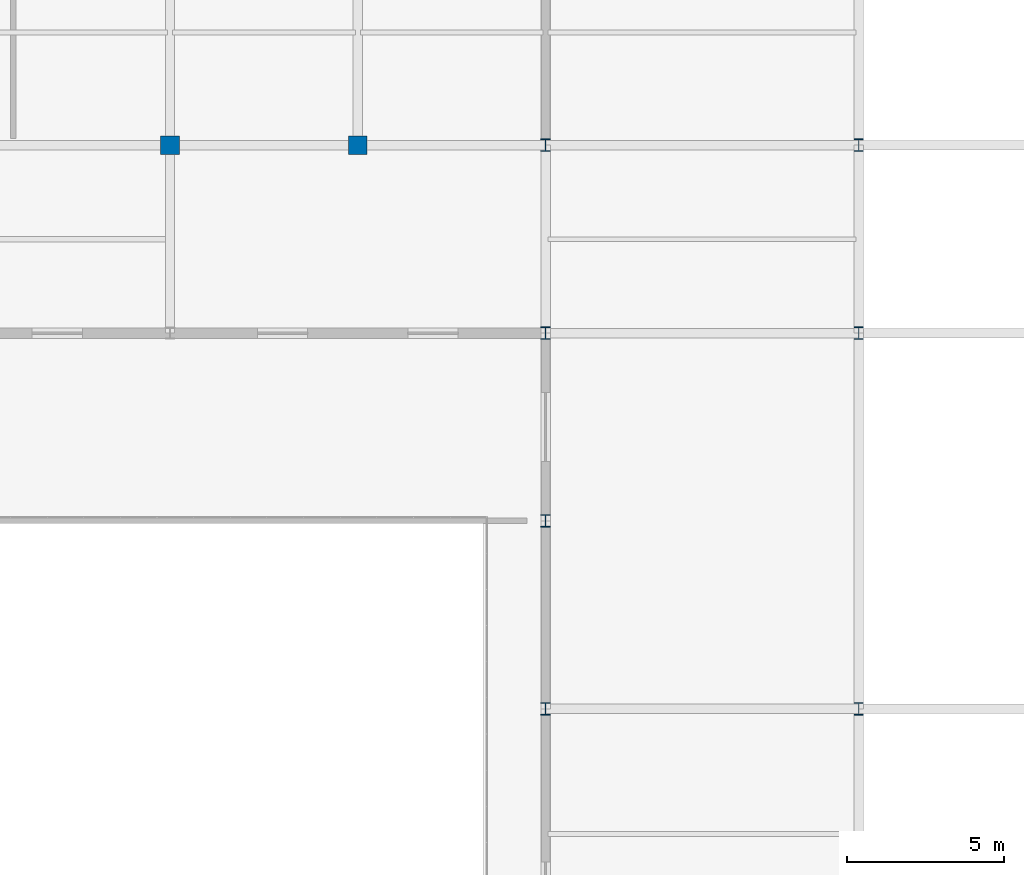
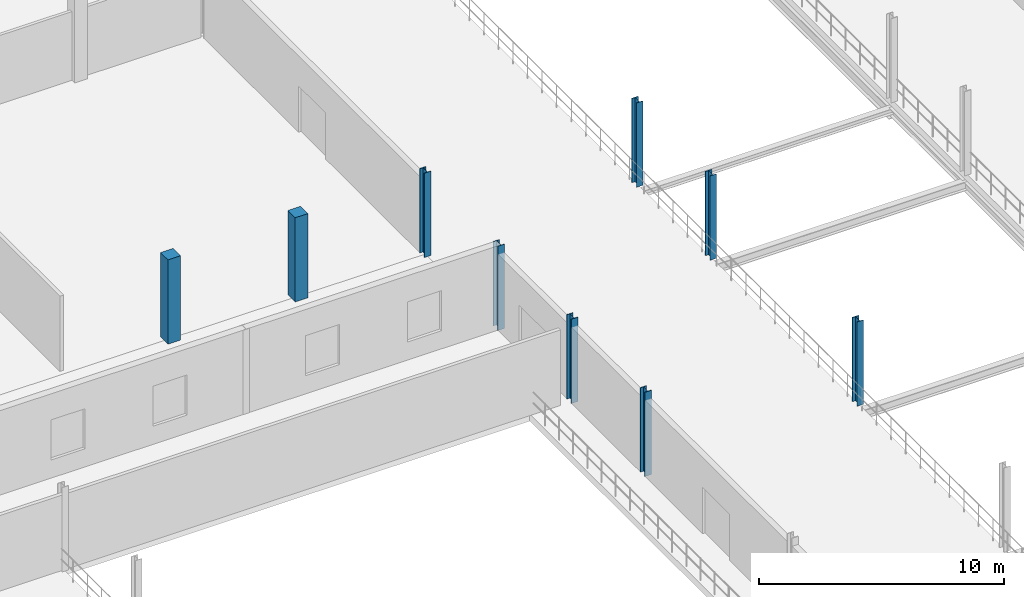
# One storey, part 9 of 147: 9 columns.
"""IFC4 building model written with IfcOpenShell, lengths in metres."""

import ifcopenshell
import ifcopenshell.guid

model = None  # the IFC model being written
_history = None  # IfcOwnerHistory: only IFC2X3 demands one
_inside = {}  # id of a spatial element -> (the spatial element, [elements in it])
_under = {}  # id of a project, library or spatial element -> (it, [spatial elements below it])
_declared = {}  # id of a project -> (the project, [libraries it declares])
_typed = {}  # id of a type object -> (the type object, [elements of that type])
_made_of = {}  # id of a material, layer set ... -> (it, [elements and type objects made of it])


def new_model(schema):
    """Start an empty IFC model of exactly this schema.

    Asked for "IFC4X3", IfcOpenShell would pick the latest addendum, in which some entities
    have other attributes; the version numbers below select the first issue.
    IFC2X3 requires an IfcOwnerHistory on every rooted entity: one is made here for all.
    """
    global model, _history
    if schema == "IFC4X3":
        model = ifcopenshell.file(schema_version=(4, 3, 0, 0))
    else:
        model = ifcopenshell.file(schema=schema)
    _inside.clear()
    _under.clear()
    _declared.clear()
    _typed.clear()
    _made_of.clear()
    _history = None
    if model.schema == "IFC2X3":
        org = make("IfcOrganization", Name="unknown")
        user = make(
            "IfcPersonAndOrganization",
            ThePerson=make("IfcPerson", FamilyName="unknown"),
            TheOrganization=org,
        )
        app = make(
            "IfcApplication",
            ApplicationDeveloper=org,
            Version="unknown",
            ApplicationFullName="unknown",
            ApplicationIdentifier="unknown",
        )
        _history = make(
            "IfcOwnerHistory",
            OwningUser=user,
            OwningApplication=app,
            ChangeAction="ADDED",
            CreationDate=0,
        )
    return model


def make(cls, **values):
    """One entity of the class cls with the attributes given. An attribute that is None is left unset."""
    return model.create_entity(
        cls, **{name: value for name, value in values.items() if value is not None}
    )


def rooted(cls, **values):
    """An entity with a GlobalId (a new one), such as an element, a storey or a relation."""
    return make(cls, GlobalId=ifcopenshell.guid.new(), OwnerHistory=_history, **values)


def si_unit(unit_type, name, prefix=None):
    """IfcSIUnit, for example si_unit("LENGTHUNIT", "METRE", prefix="MILLI")."""
    return make("IfcSIUnit", UnitType=unit_type, Prefix=prefix, Name=name)


def assignment(units):
    """IfcUnitAssignment: the units of a project."""
    return None if units is None else make("IfcUnitAssignment", Units=units)


def point(xyz):
    """IfcCartesianPoint."""
    return None if xyz is None else make("IfcCartesianPoint", Coordinates=xyz)


def direction(xyz):
    """IfcDirection."""
    return None if xyz is None else make("IfcDirection", DirectionRatios=xyz)


def frame(location, z_axis=None, x_axis=None):
    """IfcAxis2Placement3D, a coordinate frame: its origin and axes. An axis left out is left unset."""
    return make(
        "IfcAxis2Placement3D",
        Location=point(location),
        Axis=direction(z_axis),
        RefDirection=direction(x_axis),
    )


def frame_2d(location, x_axis=None):
    """IfcAxis2Placement2D, a coordinate frame in the plane: its origin and x axis."""
    return make(
        "IfcAxis2Placement2D", Location=point(location), RefDirection=direction(x_axis)
    )


def origin():
    """The frame at (0, 0, 0) with its axes left unset."""
    return frame((0.0, 0.0, 0.0))


def origin_2d():
    """The frame at (0, 0) in the plane with its x axis left unset."""
    return frame_2d((0.0, 0.0))


def place(relative_to, where):
    """IfcLocalPlacement: puts the frame where relative to a parent placement (None: the world)."""
    return make(
        "IfcLocalPlacement", PlacementRelTo=relative_to, RelativePlacement=where
    )


def context(
    kind, dimensions, precision=None, world=None, true_north=None, identifier=None
):
    """IfcGeometricRepresentationContext, for example the 3D "Model" context."""
    return make(
        "IfcGeometricRepresentationContext",
        ContextIdentifier=identifier,
        ContextType=kind,
        CoordinateSpaceDimension=dimensions,
        Precision=precision,
        WorldCoordinateSystem=world,
        TrueNorth=true_north,
    )


def subcontext(parent, identifier, kind, view, scale=None):
    """IfcGeometricRepresentationSubContext, for example "Body" below "Model"."""
    return make(
        "IfcGeometricRepresentationSubContext",
        ContextIdentifier=identifier,
        ContextType=kind,
        ParentContext=parent,
        TargetScale=scale,
        TargetView=view,
    )


def project(units=None, contexts=None):
    """IfcProject with its units and contexts."""
    return rooted(
        "IfcProject",
        Name="project",
        RepresentationContexts=contexts,
        UnitsInContext=assignment(units),
    )


def spatial(cls, under=None, at=None, **own):
    """A site, building, storey or space (cls), placed at a placement, below another one or the project."""
    s = rooted(cls, ObjectPlacement=at, **own)
    if under is not None:
        _under.setdefault(under.id(), (under, []))[1].append(s)
    return s


def profile(cls, at=None, kind="AREA", **sizes):
    """A parametric profile (cls). Its sizes go by their IFC names, for example OverallWidth=200.0."""
    return make(cls, ProfileType=kind, Position=at, **sizes)


def rectangle(**sizes):
    """IfcRectangleProfileDef."""
    return profile("IfcRectangleProfileDef", **sizes)


def i_section(**sizes):
    """IfcIShapeProfileDef."""
    return profile("IfcIShapeProfileDef", **sizes)


def extrude(swept, where, along, depth):
    """IfcExtrudedAreaSolid: the profile swept, set in the frame where, extruded along a direction by depth."""
    return make(
        "IfcExtrudedAreaSolid",
        SweptArea=swept,
        Position=where,
        ExtrudedDirection=direction(along),
        Depth=depth,
    )


def shape(context_of_items, identifier, shape_type, items):
    """IfcShapeRepresentation: the items that make up one representation, for example the "Body"."""
    return make(
        "IfcShapeRepresentation",
        ContextOfItems=context_of_items,
        RepresentationIdentifier=identifier,
        RepresentationType=shape_type,
        Items=items,
    )


def material(Name=None, Category=None):
    """IfcMaterial."""
    return make("IfcMaterial", Name=Name, Category=Category)


def material_profile(
    of_material, cross_section, Name=None, Category=None, Priority=None
):
    """IfcMaterialProfile: a cross section and its material."""
    return make(
        "IfcMaterialProfile",
        Name=Name,
        Material=of_material,
        Profile=cross_section,
        Priority=Priority,
        Category=Category,
    )


def profile_set(profiles, Name=None, composite=None):
    """IfcMaterialProfileSet."""
    return make(
        "IfcMaterialProfileSet",
        Name=Name,
        MaterialProfiles=profiles,
        CompositeProfile=composite,
    )


def made_of(thing, what):
    """Note that an element or type object is made of a material, layer set ...; save() writes the relation."""
    if what is not None:
        _made_of.setdefault(what.id(), (what, []))[1].append(thing)
    return thing


def type_object(cls, material=None, **own):
    """A type object (cls), such as IfcWallType, which elements share."""
    return made_of(rooted(cls, **own), material)


def element(
    cls,
    number,
    at=None,
    inside=None,
    cuts=None,
    type_object=None,
    material=None,
    context=None,
    identifier="Body",
    shape_type=None,
    held_by="IfcProductDefinitionShape",
    body=None,
    shapes=None,
    **own,
):
    """One element of the class cls, such as IfcWall. Its Tag is "e" and its number.

    at: its placement. inside: the storey or other place that contains it. cuts: it is an
    opening in that element (IfcRelVoidsElement). A single representation is given by context,
    identifier, shape_type and body (its items); several are given by shapes. held_by: the class
    of the entity that holds the representations. save() writes the other relations.
    """
    e = rooted(cls, Tag="e%d" % number, ObjectPlacement=at, **own)
    if body is not None:
        shapes = [shape(context, identifier, shape_type, body)]
    if shapes is not None:
        e.Representation = make(held_by, Representations=shapes)
    if inside is not None:
        _inside.setdefault(inside.id(), (inside, []))[1].append(e)
    if cuts is not None:
        rooted(
            "IfcRelVoidsElement", RelatingBuildingElement=cuts, RelatedOpeningElement=e
        )
    if type_object is not None:
        _typed.setdefault(type_object.id(), (type_object, []))[1].append(e)
    return made_of(e, material)


def aggregate(whole, parts):
    """IfcRelAggregates: a whole, such as a stair, and the parts it consists of."""
    return rooted("IfcRelAggregates", RelatingObject=whole, RelatedObjects=parts)


def save(model, path):
    """Write the relations noted so far, then the file.

    IfcRelAggregates (storeys below a building ...), IfcRelContainedInSpatialStructure (elements
    in a storey), IfcRelDefinesByType, IfcRelAssociatesMaterial and IfcRelDeclares: one each for
    every whole, place, type object, material and project.
    """
    for whole, parts in _under.values():
        aggregate(whole, parts)
    for where, things in _inside.values():
        rooted(
            "IfcRelContainedInSpatialStructure",
            RelatedElements=things,
            RelatingStructure=where,
        )
    for kind, things in _typed.values():
        rooted("IfcRelDefinesByType", RelatedObjects=things, RelatingType=kind)
    for what, things in _made_of.values():
        rooted("IfcRelAssociatesMaterial", RelatedObjects=things, RelatingMaterial=what)
    for by, libraries in _declared.values():
        rooted("IfcRelDeclares", RelatingContext=by, RelatedDefinitions=libraries)
    model.write(path)


model = new_model("IFC4")

# Units and contexts
model_context = context("Model", 3, precision=1e-05, world=origin(), true_north=direction((0.0, 1.0)))
body_context = subcontext(model_context, "Body", "Model", "MODEL_VIEW")
ifc_project = project(units=[si_unit("LENGTHUNIT", "METRE"), si_unit("AREAUNIT", "SQUARE_METRE"), si_unit("VOLUMEUNIT", "CUBIC_METRE"), si_unit("PLANEANGLEUNIT", "RADIAN"), si_unit("MASSUNIT", "GRAM", prefix="KILO")], contexts=[model_context])

# Site, building, storey
site_placement = place(None, origin())
site = spatial("IfcSite", under=ifc_project, at=site_placement, CompositionType="ELEMENT")
building_placement = place(site_placement, origin())
building = spatial("IfcBuilding", under=site, at=building_placement, Name="Zilviju Railside Exhibition Hall", CompositionType="ELEMENT")
storey_placement = place(building_placement, frame((0.0, 0.0, 8.39990234375)))
storey = spatial("IfcBuildingStorey", under=building, at=storey_placement, Name="L03", CompositionType="ELEMENT", Elevation=8.39990234375)

# Columns
ifc_material_1 = material(Name="Concrete C35/45", Category="concrete")
ifc_material_profile_1 = material_profile(ifc_material_1, rectangle(XDim=0.60009765625, YDim=0.60009765625, at=origin_2d()), Name="RC COL 600x600")
ifc_profile_set_1 = profile_set([ifc_material_profile_1], Name="Concrete C35/45")
column_type_1 = type_object("IfcColumnType", Name="COL-RC-600", PredefinedType="COLUMN", material=ifc_profile_set_1)
for number, where, z_axis, x_axis, name in (
    (1, (36.0, 84.0, 0.0), (0.0, 0.0, 1.0), (1.0, 0.0, 0.0), "Structural Column L03 (36.0, 84.0)"),
    (2, (42.0, 84.0, 0.0), (0.0, 0.0, 1.0), (1.0, 0.0, 0.0), "Structural Column L03 (42.0, 84.0)"),
):
    element("IfcColumn", number, at=place(storey_placement, frame(where, z_axis=z_axis, x_axis=x_axis)), inside=storey, type_object=column_type_1, Name=name, PredefinedType="COLUMN", context=body_context, shape_type="SweptSolid", body=[
        extrude(rectangle(XDim=0.60009765625, YDim=0.60009765625, at=origin_2d()), origin(), (0.0, 0.0, 1.0), 4.2001953125),
    ])
ifc_material_2 = material(Name="Steel S355J2", Category="steel")
ifc_material_profile_2 = material_profile(ifc_material_2, i_section(OverallWidth=0.300048828125, OverallDepth=0.39990234375, WebThickness=0.013427734375, FlangeThickness=0.02392578125, at=origin_2d()), Name="HEB 400")
ifc_profile_set_2 = profile_set([ifc_material_profile_2], Name="Steel S355J2")
column_type_2 = type_object("IfcColumnType", Name="COL-ST-HEB400", PredefinedType="COLUMN", material=ifc_profile_set_2)
for number, where, z_axis, x_axis, name in (
    (3, (48.0, 66.0, 0.0), (0.0, 0.0, 1.0), (1.0, 0.0, 0.0), "Structural Column L03 (48.0, 66.0)"),
    (4, (58.0, 66.0, 0.0), (0.0, 0.0, 1.0), (1.0, 0.0, 0.0), "Structural Column L03 (58.0, 66.0)"),
    (5, (48.0, 72.0, 0.0), (0.0, 0.0, 1.0), (1.0, 0.0, 0.0), "Structural Column L03 (48.0, 72.0)"),
    (6, (48.0, 78.0, 0.0), (0.0, 0.0, 1.0), (1.0, 0.0, 0.0), "Structural Column L03 (48.0, 78.0)"),
    (7, (58.0, 78.0, 0.0), (0.0, 0.0, 1.0), (1.0, 0.0, 0.0), "Structural Column L03 (58.0, 78.0)"),
    (8, (48.0, 84.0, 0.0), (0.0, 0.0, 1.0), (1.0, 0.0, 0.0), "Structural Column L03 (48.0, 84.0)"),
    (9, (58.0, 84.0, 0.0), (0.0, 0.0, 1.0), (1.0, 0.0, 0.0), "Structural Column L03 (58.0, 84.0)"),
):
    element("IfcColumn", number, at=place(storey_placement, frame(where, z_axis=z_axis, x_axis=x_axis)), inside=storey, type_object=column_type_2, Name=name, PredefinedType="COLUMN", context=body_context, shape_type="SweptSolid", body=[
        extrude(i_section(OverallWidth=0.300048828125, OverallDepth=0.39990234375, WebThickness=0.013427734375, FlangeThickness=0.02392578125, at=origin_2d()), origin(), (0.0, 0.0, 1.0), 4.2001953125),
    ])

save(model, "model.ifc")
